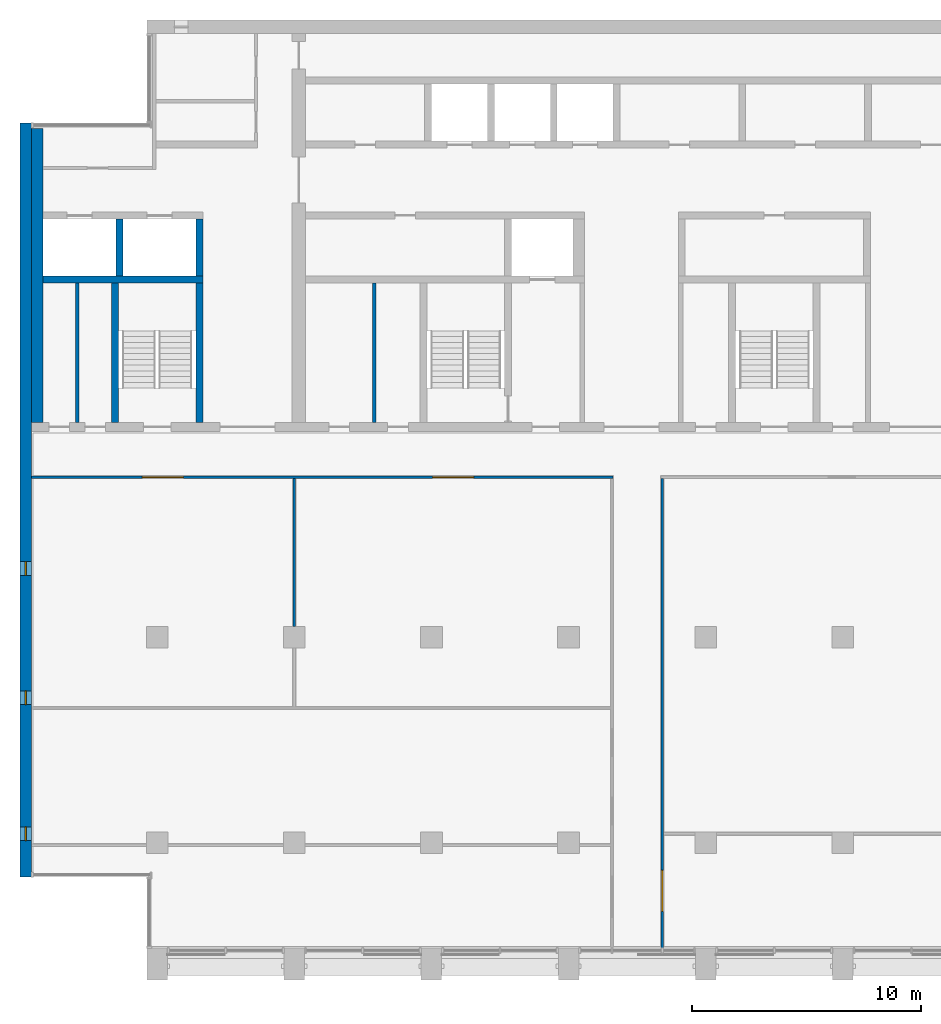
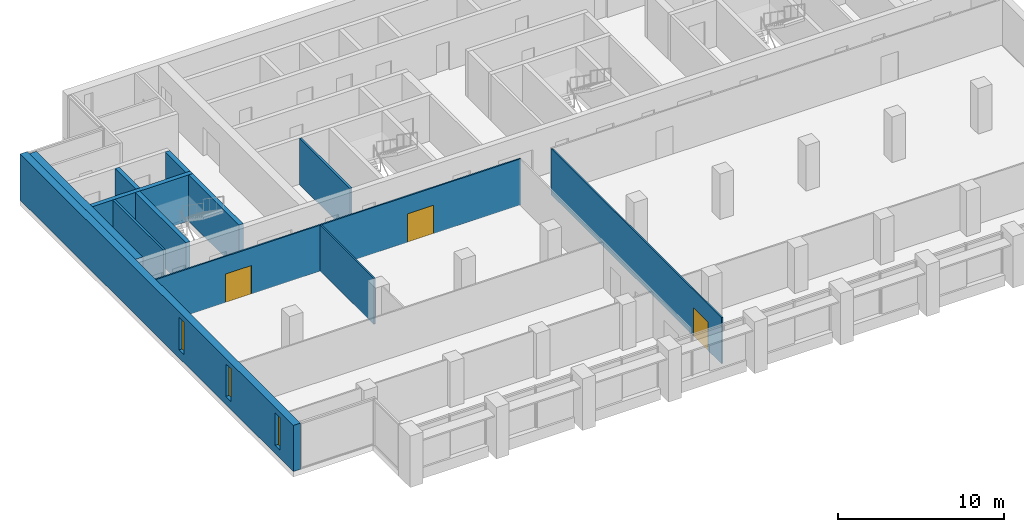
# One storey, part 7 of 14: 12 walls, 3 doors, 3 windows, 6 openings.
"""IFC4 building model written with IfcOpenShell, lengths in metres."""

from ifc_helpers import new_model, si_unit, direction, frame, frame_2d, origin, place, context, subcontext, project, spatial, rectangle, extrude, material, layer, layer_set, type_object, element, fill, save


model = new_model("IFC4")

# Units and contexts
model_context = context("Model", 3, precision=1e-05, world=origin(), true_north=direction((0.0, 1.0)))
body_context = subcontext(model_context, "Body", "Model", "MODEL_VIEW")
ifc_project = project(units=[si_unit("LENGTHUNIT", "METRE"), si_unit("AREAUNIT", "SQUARE_METRE"), si_unit("VOLUMEUNIT", "CUBIC_METRE"), si_unit("PLANEANGLEUNIT", "RADIAN"), si_unit("MASSUNIT", "GRAM", prefix="KILO")], contexts=[model_context])

# Site, building, storey
site_placement = place(None, origin())
site = spatial("IfcSite", under=ifc_project, at=site_placement, CompositionType="ELEMENT")
building_placement = place(site_placement, origin())
building = spatial("IfcBuilding", under=site, at=building_placement, Name="Calvaro Tower", CompositionType="ELEMENT")
storey_placement = place(building_placement, frame((0.0, 0.0, 235.550048828125)))
storey = spatial("IfcBuildingStorey", under=building, at=storey_placement, Name="L59", CompositionType="ELEMENT", Elevation=235.550048828125)

# Walls
ifc_material_1 = material(Name="Blockwork partition", Category="masonry")
ifc_layer_1 = layer(ifc_material_1, 0.14990234375)
ifc_layer_set_1 = layer_set([ifc_layer_1], Name="Blockwork partition")
wall_type_1 = type_object("IfcWallType", Name="Core partition 150 EI 60", PredefinedType="PARTITIONING", material=ifc_layer_set_1)
wall_1_placement = place(storey_placement, frame((8.5, 28.39990234375, 0.0), z_axis=(0.0, 0.0, 1.0), x_axis=(0.0, 1.0, 0.0)))
element("IfcWall", 1, at=wall_1_placement, inside=storey, type_object=wall_type_1, Name="Core partition", PredefinedType="PARTITIONING", context=body_context, shape_type="SweptSolid", body=[
    extrude(rectangle(XDim=6.10009765625, YDim=0.14990234375, at=frame_2d((3.050048828125, 0.0))), origin(), (0.0, 0.0, 1.0), 3.39990234375),
])
ifc_material_2 = material(Name="Blockwork partition", Category="masonry")
ifc_layer_2 = layer(ifc_material_2, 0.14990234375)
ifc_layer_set_2 = layer_set([ifc_layer_2], Name="Blockwork partition")
wall_type_2 = type_object("IfcWallType", Name="Core partition 150 REI 120", PredefinedType="PARTITIONING", material=ifc_layer_set_2)
wall_2_placement = place(storey_placement, frame((21.5, 28.39990234375, 0.0), z_axis=(0.0, 0.0, 1.0), x_axis=(0.0, 1.0, 0.0)))
element("IfcWall", 2, at=wall_2_placement, inside=storey, type_object=wall_type_2, Name="Core partition", PredefinedType="PARTITIONING", context=body_context, shape_type="SweptSolid", body=[
    extrude(rectangle(XDim=6.10009765625, YDim=0.14990234375, at=frame_2d((3.050048828125, 0.0))), origin(), (0.0, 0.0, 1.0), 3.39990234375),
])
ifc_material_3 = material(Name="Concrete C40/50", Category="concrete")
ifc_layer_3 = layer(ifc_material_3, 0.300048828125)
ifc_layer_set_3 = layer_set([ifc_layer_3], Name="Concrete C40/50")
wall_type_3 = type_object("IfcWallType", Name="Core wall C40/50 300", PredefinedType="SHEAR", material=ifc_layer_set_3)
for number, where, z_axis, x_axis, name in (
    (3, (10.14990234375, 28.39990234375, 0.0), (0.0, 0.0, 1.0), (0.0, 1.0, 0.0), "Core wall, stair enclosure"),
    (4, (13.85009765625, 28.39990234375, 0.0), (0.0, 0.0, 1.0), (0.0, 1.0, 0.0), "Core wall, stair enclosure"),
):
    element("IfcWall", number, at=place(storey_placement, frame(where, z_axis=z_axis, x_axis=x_axis)), inside=storey, type_object=wall_type_3, Name=name, PredefinedType="SHEAR", context=body_context, shape_type="SweptSolid", body=[
        extrude(rectangle(XDim=6.10009765625, YDim=0.300048828125, at=frame_2d((3.050048828125, 0.0))), origin(), (0.0, 0.0, 1.0), 3.39990234375),
    ])
wall_3_placement = place(storey_placement, frame((7.0, 34.64990234375, 0.0), z_axis=(0.0, 0.0, 1.0), x_axis=(1.0, 0.0, 0.0)))
element("IfcWall", 5, at=wall_3_placement, inside=storey, type_object=wall_type_3, Name="Core wall, lift shaft", PredefinedType="SHEAR", context=body_context, shape_type="SweptSolid", body=[
    extrude(rectangle(XDim=7.0, YDim=0.300048828125, at=frame_2d((3.5, 0.0))), origin(), (0.0, 0.0, 1.0), 3.39990234375),
])
for number, where, z_axis, x_axis, name in (
    (6, (13.85009765625, 34.800048828125, 0.0), (0.0, 0.0, 1.0), (0.0, 1.0, 0.0), "Core wall, lift shaft"),
    (7, (10.35009765625, 34.800048828125, 0.0), (0.0, 0.0, 1.0), (0.0, 1.0, 0.0), "Core wall, lift shaft"),
):
    element("IfcWall", number, at=place(storey_placement, frame(where, z_axis=z_axis, x_axis=x_axis)), inside=storey, type_object=wall_type_3, Name=name, PredefinedType="SHEAR", context=body_context, shape_type="SweptSolid", body=[
        extrude(rectangle(XDim=2.5, YDim=0.300048828125, at=frame_2d((1.25, 0.0))), origin(), (0.0, 0.0, 1.0), 3.39990234375),
    ])
ifc_material_4 = material(Name="Concrete C40/50", Category="concrete")
ifc_layer_4 = layer(ifc_material_4, 0.5)
ifc_layer_set_4 = layer_set([ifc_layer_4], Name="Concrete C40/50")
wall_type_4 = type_object("IfcWallType", Name="Core wall C40/50 500", PredefinedType="SHEAR", material=ifc_layer_set_4)
wall_4_placement = place(storey_placement, frame((6.75, 28.39990234375, 0.0), z_axis=(0.0, 0.0, 1.0), x_axis=(0.0, 1.0, 0.0)))
element("IfcWall", 8, at=wall_4_placement, inside=storey, type_object=wall_type_4, Name="Core wall, boundary", PredefinedType="SHEAR", context=body_context, shape_type="SweptSolid", body=[
    extrude(rectangle(XDim=12.85009765625, YDim=0.5, at=frame_2d((6.425048828125, 0.0))), origin(), (0.0, 0.0, 1.0), 3.39990234375),
])

# Wall, openings, windows
ifc_material_5 = material(Name="Concrete C40/50", Category="concrete")
ifc_layer_5 = layer(ifc_material_5, 0.5)
ifc_layer_set_5 = layer_set([ifc_layer_5], Name="Concrete C40/50")
wall_type_5 = type_object("IfcWallType", Name="End wall 500 C40/50", PredefinedType="SHEAR", material=ifc_layer_set_5)
wall_5_placement = place(storey_placement, frame((6.25, 8.5, 0.0), z_axis=(0.0, 0.0, 1.0), x_axis=(0.0, 1.0, 0.0)))
wall_5 = element("IfcWall", 9, at=wall_5_placement, inside=storey, type_object=wall_type_5, Name="End shear wall", PredefinedType="SHEAR", context=body_context, shape_type="SweptSolid", body=[
    extrude(rectangle(XDim=33.0, YDim=0.5, at=frame_2d((16.5, 0.0))), origin(), (0.0, 0.0, 1.0), 3.39990234375),
])
opening_1_placement = place(wall_5_placement, frame((1.60009765625, 0.0, 0.60009765625)))
opening_1 = element("IfcOpeningElement", 10, at=opening_1_placement, cuts=wall_5, Name="Opening WW01", PredefinedType="OPENING", context=body_context, shape_type="SweptSolid", body=[
    extrude(rectangle(XDim=0.60009765625, YDim=2.39990234375, at=frame_2d((0.300048828125, 1.199951171875))), frame((0.0, 0.260009765625, 0.0), z_axis=(0.0, -1.0, 0.0), x_axis=(1.0, 0.0, 0.0)), (0.0, 0.0, 1.0), 0.52001953125),
])
opening_2_placement = place(wall_5_placement, frame((7.550048828125, 0.0, 0.60009765625)))
opening_2 = element("IfcOpeningElement", 11, at=opening_2_placement, cuts=wall_5, Name="Opening WW02", PredefinedType="OPENING", context=body_context, shape_type="SweptSolid", body=[
    extrude(rectangle(XDim=0.60009765625, YDim=2.39990234375, at=frame_2d((0.300048828125, 1.199951171875))), frame((0.0, 0.260009765625, 0.0), z_axis=(0.0, -1.0, 0.0), x_axis=(1.0, 0.0, 0.0)), (0.0, 0.0, 1.0), 0.52001953125),
])
opening_3_placement = place(wall_5_placement, frame((13.199951171875, 0.0, 0.60009765625)))
opening_3 = element("IfcOpeningElement", 12, at=opening_3_placement, cuts=wall_5, Name="Opening WW03", PredefinedType="OPENING", context=body_context, shape_type="SweptSolid", body=[
    extrude(rectangle(XDim=0.60009765625, YDim=2.39990234375, at=frame_2d((0.300048828125, 1.199951171875))), frame((0.0, 0.260009765625, 0.0), z_axis=(0.0, -1.0, 0.0), x_axis=(1.0, 0.0, 0.0)), (0.0, 0.0, 1.0), 0.52001953125),
])
ifc_material_6 = material(Name="Glass", Category="glass")
window_type = type_object("IfcWindowType", Name="Slit window 600 x 2400", PartitioningType="SINGLE_PANEL", PredefinedType="WINDOW", material=ifc_material_6)
window_1_placement = place(opening_1_placement, origin())
window_1 = element("IfcWindow", 13, at=window_1_placement, inside=storey, type_object=window_type, Name="Window WW01", OverallHeight=2.39990234375, OverallWidth=0.60009765625, PartitioningType="SINGLE_PANEL", PredefinedType="WINDOW", context=body_context, shape_type="SweptSolid", body=[
    extrude(rectangle(XDim=0.60009765625, YDim=2.39990234375, at=frame_2d((0.300048828125, 1.199951171875))), frame((0.0, 0.030029296875, 0.0), z_axis=(0.0, -1.0, 0.0), x_axis=(1.0, 0.0, 0.0)), (0.0, 0.0, 1.0), 0.06005859375),
])
fill(opening_1, window_1)
window_2_placement = place(opening_2_placement, origin())
window_2 = element("IfcWindow", 14, at=window_2_placement, inside=storey, type_object=window_type, Name="Window WW02", OverallHeight=2.39990234375, OverallWidth=0.60009765625, PartitioningType="SINGLE_PANEL", PredefinedType="WINDOW", context=body_context, shape_type="SweptSolid", body=[
    extrude(rectangle(XDim=0.60009765625, YDim=2.39990234375, at=frame_2d((0.300048828125, 1.199951171875))), frame((0.0, 0.030029296875, 0.0), z_axis=(0.0, -1.0, 0.0), x_axis=(1.0, 0.0, 0.0)), (0.0, 0.0, 1.0), 0.06005859375),
])
fill(opening_2, window_2)
window_3_placement = place(opening_3_placement, origin())
window_3 = element("IfcWindow", 15, at=window_3_placement, inside=storey, type_object=window_type, Name="Window WW03", OverallHeight=2.39990234375, OverallWidth=0.60009765625, PartitioningType="SINGLE_PANEL", PredefinedType="WINDOW", context=body_context, shape_type="SweptSolid", body=[
    extrude(rectangle(XDim=0.60009765625, YDim=2.39990234375, at=frame_2d((0.300048828125, 1.199951171875))), frame((0.0, 0.030029296875, 0.0), z_axis=(0.0, -1.0, 0.0), x_axis=(1.0, 0.0, 0.0)), (0.0, 0.0, 1.0), 0.06005859375),
])
fill(opening_3, window_3)

# Wall, openings, doors
ifc_material_7 = material(Name="Plasterboard on steel studs", Category="steel")
ifc_layer_6 = layer(ifc_material_7, 0.10009765625)
ifc_layer_set_6 = layer_set([ifc_layer_6], Name="Plasterboard on steel studs")
wall_type_6 = type_object("IfcWallType", Name="Partition 100", PredefinedType="PARTITIONING", material=ifc_layer_set_6)
wall_6_placement = place(storey_placement, frame((6.5, 26.0, 0.0), z_axis=(0.0, 0.0, 1.0), x_axis=(1.0, 0.0, 0.0)))
wall_6 = element("IfcWall", 16, at=wall_6_placement, inside=storey, type_object=wall_type_6, Name="Partition T34.W013", PredefinedType="PARTITIONING", context=body_context, shape_type="SweptSolid", body=[
    extrude(rectangle(XDim=25.449951171875, YDim=0.10009765625, at=frame_2d((12.72509765625, 0.0))), origin(), (0.0, 0.0, 1.0), 3.39990234375),
])
opening_4_placement = place(wall_6_placement, frame((17.550048828125, 0.0, 0.0)))
opening_4 = element("IfcOpeningElement", 17, at=opening_4_placement, cuts=wall_6, Name="Opening T34.007", PredefinedType="OPENING", context=body_context, shape_type="SweptSolid", body=[
    extrude(rectangle(XDim=1.800048828125, YDim=2.10009765625, at=frame_2d((0.89990234375, 1.050048828125))), frame((0.0, 0.06005859375, 0.0), z_axis=(0.0, -1.0, 0.0), x_axis=(1.0, 0.0, 0.0)), (0.0, 0.0, 1.0), 0.1201171875),
])
opening_5_placement = place(wall_6_placement, frame((4.85009765625, 0.0, 0.0)))
opening_5 = element("IfcOpeningElement", 18, at=opening_5_placement, cuts=wall_6, Name="Opening T34.008", PredefinedType="OPENING", context=body_context, shape_type="SweptSolid", body=[
    extrude(rectangle(XDim=1.800048828125, YDim=2.10009765625, at=frame_2d((0.89990234375, 1.050048828125))), frame((0.0, 0.06005859375, 0.0), z_axis=(0.0, -1.0, 0.0), x_axis=(1.0, 0.0, 0.0)), (0.0, 0.0, 1.0), 0.1201171875),
])
ifc_material_8 = material(Name="Timber", Category="wood")
door_type = type_object("IfcDoorType", Name="Internal double door 1800 x 2100", OperationType="DOUBLE_DOOR_SINGLE_SWING", PredefinedType="DOOR", material=ifc_material_8)
door_1_placement = place(opening_4_placement, origin())
door_1 = element("IfcDoor", 19, at=door_1_placement, inside=storey, type_object=door_type, Name="Door T34.007", OperationType="DOUBLE_DOOR_SINGLE_SWING", OverallHeight=2.10009765625, OverallWidth=1.800048828125, PredefinedType="DOOR", context=body_context, shape_type="SweptSolid", body=[
    extrude(rectangle(XDim=1.800048828125, YDim=2.10009765625, at=frame_2d((0.89990234375, 1.050048828125))), frame((0.0, 0.02490234375, 0.0), z_axis=(0.0, -1.0, 0.0), x_axis=(1.0, 0.0, 0.0)), (0.0, 0.0, 1.0), 0.050048828125),
])
fill(opening_4, door_1)
door_2_placement = place(opening_5_placement, origin())
door_2 = element("IfcDoor", 20, at=door_2_placement, inside=storey, type_object=door_type, Name="Door T34.008", OperationType="DOUBLE_DOOR_SINGLE_SWING", OverallHeight=2.10009765625, OverallWidth=1.800048828125, PredefinedType="DOOR", context=body_context, shape_type="SweptSolid", body=[
    extrude(rectangle(XDim=1.800048828125, YDim=2.10009765625, at=frame_2d((0.89990234375, 1.050048828125))), frame((0.0, 0.02490234375, 0.0), z_axis=(0.0, -1.0, 0.0), x_axis=(1.0, 0.0, 0.0)), (0.0, 0.0, 1.0), 0.050048828125),
])
fill(opening_5, door_2)

# Wall
wall_7_placement = place(storey_placement, frame((18.0, 19.47509765625, 0.0), z_axis=(0.0, 0.0, 1.0), x_axis=(0.0, 1.0, 0.0)))
element("IfcWall", 21, at=wall_7_placement, inside=storey, type_object=wall_type_6, Name="Partition T34.W016", PredefinedType="PARTITIONING", context=body_context, shape_type="SweptSolid", body=[
    extrude(rectangle(XDim=6.474853515625, YDim=0.10009765625, at=frame_2d((3.2373046875, 0.0))), origin(), (0.0, 0.0, 1.0), 3.39990234375),
])

# Wall, opening, door
wall_8_placement = place(storey_placement, frame((34.10009765625, 5.39990234375, 0.0), z_axis=(0.0, 0.0, 1.0), x_axis=(0.0, 1.0, 0.0)))
wall_8 = element("IfcWall", 22, at=wall_8_placement, inside=storey, type_object=wall_type_6, Name="Partition T34.W018", PredefinedType="PARTITIONING", context=body_context, shape_type="SweptSolid", body=[
    extrude(rectangle(XDim=20.550048828125, YDim=0.10009765625, at=frame_2d((10.27490234375, 0.0))), origin(), (0.0, 0.0, 1.0), 3.39990234375),
])
opening_6_placement = place(wall_8_placement, frame((1.60009765625, 0.0, 0.0)))
opening_6 = element("IfcOpeningElement", 23, at=opening_6_placement, cuts=wall_8, Name="Opening T34.002", PredefinedType="OPENING", context=body_context, shape_type="SweptSolid", body=[
    extrude(rectangle(XDim=1.800048828125, YDim=2.10009765625, at=frame_2d((0.89990234375, 1.050048828125))), frame((0.0, 0.06005859375, 0.0), z_axis=(0.0, -1.0, 0.0), x_axis=(1.0, 0.0, 0.0)), (0.0, 0.0, 1.0), 0.1201171875),
])
door_3_placement = place(opening_6_placement, origin())
door_3 = element("IfcDoor", 24, at=door_3_placement, inside=storey, type_object=door_type, Name="Door T34.002", OperationType="DOUBLE_DOOR_SINGLE_SWING", OverallHeight=2.10009765625, OverallWidth=1.800048828125, PredefinedType="DOOR", context=body_context, shape_type="SweptSolid", body=[
    extrude(rectangle(XDim=1.800048828125, YDim=2.10009765625, at=frame_2d((0.89990234375, 1.050048828125))), frame((0.0, 0.02490234375, 0.0), z_axis=(0.0, -1.0, 0.0), x_axis=(1.0, 0.0, 0.0)), (0.0, 0.0, 1.0), 0.050048828125),
])
fill(opening_6, door_3)

save(model, "model.ifc")
